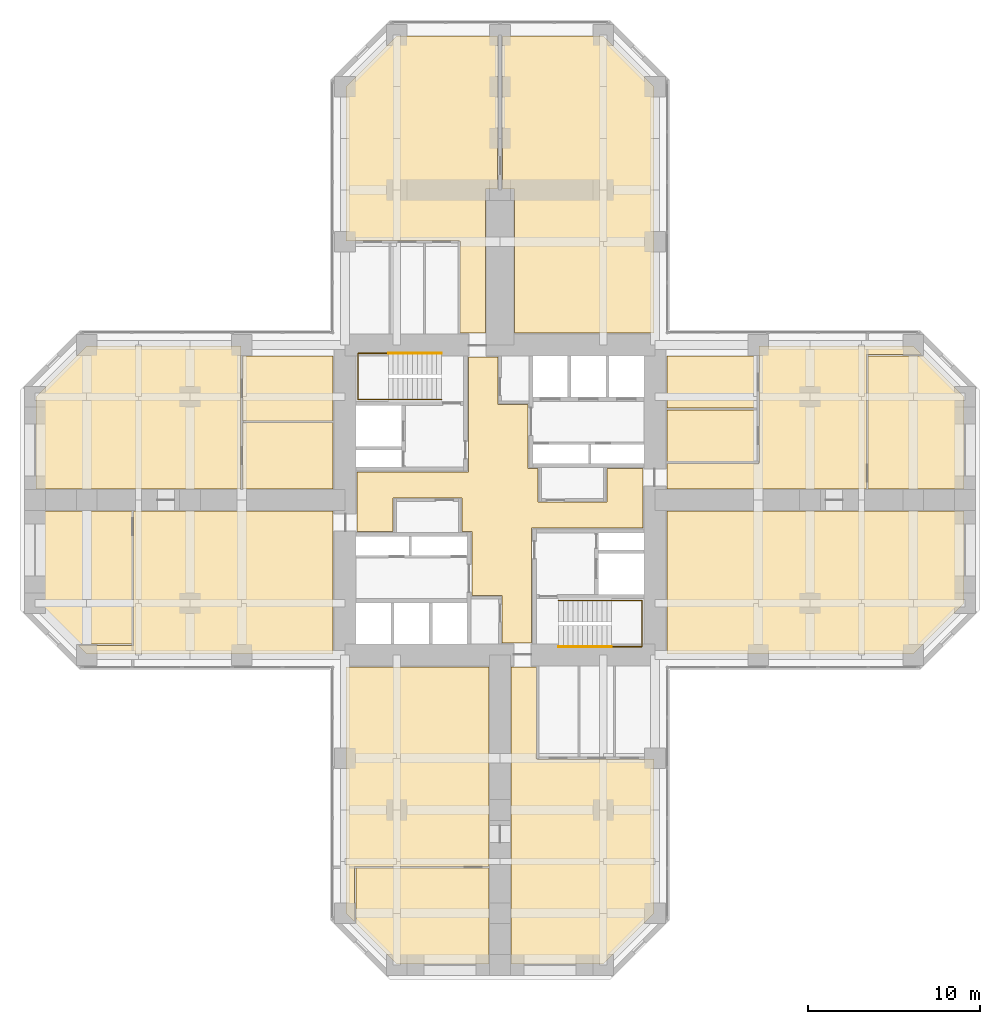
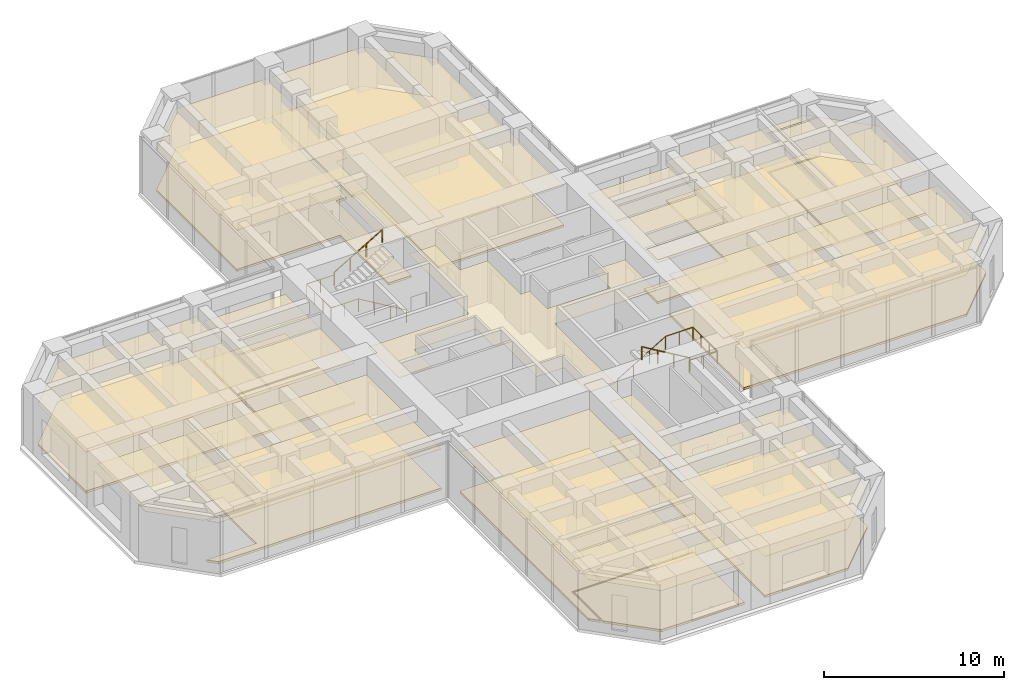
# One storey, part 12 of 12: 28 coverings, 4 railings.
"""IFC4 building model written with IfcOpenShell, lengths in metres."""

from ifc_helpers import new_model, si_unit, direction, frame, origin, origin_2d, place, context, subcontext, project, spatial, polyline, circle, outline, extrude, material, layer, layer_set, constituent, constituent_set, type_object, element, save


model = new_model("IFC4")

# Units and contexts
model_context = context("Model", 3, precision=1e-05, world=origin(), true_north=direction((0.0, 1.0)))
body_context = subcontext(model_context, "Body", "Model", "MODEL_VIEW")
ifc_project = project(units=[si_unit("LENGTHUNIT", "METRE"), si_unit("AREAUNIT", "SQUARE_METRE"), si_unit("VOLUMEUNIT", "CUBIC_METRE"), si_unit("PLANEANGLEUNIT", "RADIAN"), si_unit("MASSUNIT", "GRAM", prefix="KILO")], contexts=[model_context])

# Site, building, storey
site_placement = place(None, origin())
site = spatial("IfcSite", under=ifc_project, at=site_placement, CompositionType="ELEMENT")
building_placement = place(site_placement, origin())
building = spatial("IfcBuilding", under=site, at=building_placement, Name="Torre Cruceta", CompositionType="ELEMENT")
storey_placement = place(building_placement, frame((0.0, 0.0, 59.5)))
storey = spatial("IfcBuildingStorey", under=building, at=storey_placement, Name="L14", CompositionType="ELEMENT", Elevation=59.5)

# Railings
ifc_material_1 = material(Name="Stainless steel 1.4401", Category="steel")
railing_type = type_object("IfcRailingType", Name="HANDRAIL 900", PredefinedType="HANDRAIL", material=ifc_material_1)
railing_1_placement = place(storey_placement, frame((-3.39990234375, 5.8349609375, 0.166748046875)))
element("IfcRailing", 1, at=railing_1_placement, inside=storey, type_object=railing_type, Name="Handrail HR1 ST1 L14", PredefinedType="HANDRAIL", context=body_context, shape_type="SweptSolid", body=[
    extrude(circle(Radius=0.02392578125, at=origin_2d()), frame((0.0, 0.0, 0.8759765625), z_axis=(-0.859308565015, 0.0, 0.511457515432), x_axis=(0.0, -1.0, 0.0)), (0.0, 0.0, 1.0), 3.58447265625),
    extrude(circle(Radius=0.02392578125, at=origin_2d()), frame((-3.080078125, 0.0, 2.708984375), z_axis=(-1.0, 0.0, 0.0), x_axis=(0.0, -1.0, 0.0)), (0.0, 0.0, 1.0), 1.760009765625),
    extrude(circle(Radius=0.02392578125, at=origin_2d()), frame((-4.840087890625, 0.0, 2.708984375), z_axis=(0.0, 1.0, 0.0), x_axis=(-1.0, 0.0, 0.0)), (0.0, 0.0, 1.0), 2.679931640625),
    extrude(circle(Radius=0.02392578125, at=origin_2d()), frame((-4.840087890625, 2.679931640625, 2.708984375), z_axis=(1.0, 0.0, 0.0), x_axis=(0.0, 1.0, 0.0)), (0.0, 0.0, 1.0), 1.760009765625),
    extrude(circle(Radius=0.02099609375, at=origin_2d()), origin(), (0.0, 0.0, 1.0), 0.851806640625),
    extrude(circle(Radius=0.02099609375, at=origin_2d()), frame((-1.026611328125, 0.0, 0.611083984375)), (0.0, 0.0, 1.0), 0.851806640625),
    extrude(circle(Radius=0.02099609375, at=origin_2d()), frame((-2.053466796875, 0.0, 1.22216796875)), (0.0, 0.0, 1.0), 0.851806640625),
    extrude(circle(Radius=0.02099609375, at=origin_2d()), frame((-3.080078125, 0.0, 1.833251953125)), (0.0, 0.0, 1.0), 0.851806640625),
    extrude(circle(Radius=0.02099609375, at=origin_2d()), frame((-3.9599609375, 0.0, 1.833251953125)), (0.0, 0.0, 1.0), 0.851806640625),
    extrude(circle(Radius=0.02099609375, at=origin_2d()), frame((-4.840087890625, 0.0, 1.833251953125)), (0.0, 0.0, 1.0), 0.851806640625),
    extrude(circle(Radius=0.02099609375, at=origin_2d()), frame((-4.840087890625, 0.893310546875, 1.833251953125)), (0.0, 0.0, 1.0), 0.851806640625),
    extrude(circle(Radius=0.02099609375, at=origin_2d()), frame((-4.840087890625, 1.78662109375, 1.833251953125)), (0.0, 0.0, 1.0), 0.851806640625),
    extrude(circle(Radius=0.02099609375, at=origin_2d()), frame((-4.840087890625, 2.679931640625, 1.833251953125)), (0.0, 0.0, 1.0), 0.851806640625),
    extrude(circle(Radius=0.02099609375, at=origin_2d()), frame((-3.9599609375, 2.679931640625, 1.833251953125)), (0.0, 0.0, 1.0), 0.851806640625),
    extrude(circle(Radius=0.02099609375, at=origin_2d()), frame((-3.080078125, 2.679931640625, 1.833251953125)), (0.0, 0.0, 1.0), 0.851806640625),
])
railing_2_placement = place(storey_placement, frame((-6.47998046875, 8.514892578125, 2.166748046875)))
element("IfcRailing", 2, at=railing_2_placement, inside=storey, type_object=railing_type, Name="Handrail HR1 ST1 L14", PredefinedType="HANDRAIL", context=body_context, shape_type="SweptSolid", body=[
    extrude(circle(Radius=0.02392578125, at=origin_2d()), frame((0.0, 0.0, 0.8759765625), z_axis=(0.859308565015, 0.0, 0.511457515432), x_axis=(0.0, 1.0, 0.0)), (0.0, 0.0, 1.0), 3.58447265625),
    extrude(circle(Radius=0.02099609375, at=origin_2d()), origin(), (0.0, 0.0, 1.0), 0.851806640625),
    extrude(circle(Radius=0.02099609375, at=origin_2d()), frame((1.026611328125, 0.0, 0.611083984375)), (0.0, 0.0, 1.0), 0.851806640625),
    extrude(circle(Radius=0.02099609375, at=origin_2d()), frame((2.053466796875, 0.0, 1.22216796875)), (0.0, 0.0, 1.0), 0.851806640625),
    extrude(circle(Radius=0.02099609375, at=origin_2d()), frame((3.080078125, 0.0, 1.833251953125)), (0.0, 0.0, 1.0), 0.851806640625),
])
railing_3_placement = place(storey_placement, frame((3.39990234375, -5.8349609375, 0.166748046875)))
element("IfcRailing", 3, at=railing_3_placement, inside=storey, type_object=railing_type, Name="Handrail HR1 ST2 L14", PredefinedType="HANDRAIL", context=body_context, shape_type="SweptSolid", body=[
    extrude(circle(Radius=0.02392578125, at=origin_2d()), frame((0.0, 0.0, 0.8759765625), z_axis=(0.859308565015, 0.0, 0.511457515432), x_axis=(0.0, 1.0, 0.0)), (0.0, 0.0, 1.0), 3.58447265625),
    extrude(circle(Radius=0.02392578125, at=origin_2d()), frame((3.080078125, 0.0, 2.708984375), z_axis=(1.0, 0.0, 0.0), x_axis=(0.0, 1.0, 0.0)), (0.0, 0.0, 1.0), 1.760009765625),
    extrude(circle(Radius=0.02392578125, at=origin_2d()), frame((4.840087890625, 0.0, 2.708984375), z_axis=(0.0, -1.0, 0.0), x_axis=(1.0, 0.0, 0.0)), (0.0, 0.0, 1.0), 2.679931640625),
    extrude(circle(Radius=0.02392578125, at=origin_2d()), frame((4.840087890625, -2.679931640625, 2.708984375), z_axis=(-1.0, 0.0, 0.0), x_axis=(0.0, -1.0, 0.0)), (0.0, 0.0, 1.0), 1.760009765625),
    extrude(circle(Radius=0.02099609375, at=origin_2d()), origin(), (0.0, 0.0, 1.0), 0.851806640625),
    extrude(circle(Radius=0.02099609375, at=origin_2d()), frame((1.026611328125, 0.0, 0.611083984375)), (0.0, 0.0, 1.0), 0.851806640625),
    extrude(circle(Radius=0.02099609375, at=origin_2d()), frame((2.053466796875, 0.0, 1.22216796875)), (0.0, 0.0, 1.0), 0.851806640625),
    extrude(circle(Radius=0.02099609375, at=origin_2d()), frame((3.080078125, 0.0, 1.833251953125)), (0.0, 0.0, 1.0), 0.851806640625),
    extrude(circle(Radius=0.02099609375, at=origin_2d()), frame((3.9599609375, 0.0, 1.833251953125)), (0.0, 0.0, 1.0), 0.851806640625),
    extrude(circle(Radius=0.02099609375, at=origin_2d()), frame((4.840087890625, 0.0, 1.833251953125)), (0.0, 0.0, 1.0), 0.851806640625),
    extrude(circle(Radius=0.02099609375, at=origin_2d()), frame((4.840087890625, -0.893310546875, 1.833251953125)), (0.0, 0.0, 1.0), 0.851806640625),
    extrude(circle(Radius=0.02099609375, at=origin_2d()), frame((4.840087890625, -1.78662109375, 1.833251953125)), (0.0, 0.0, 1.0), 0.851806640625),
    extrude(circle(Radius=0.02099609375, at=origin_2d()), frame((4.840087890625, -2.679931640625, 1.833251953125)), (0.0, 0.0, 1.0), 0.851806640625),
    extrude(circle(Radius=0.02099609375, at=origin_2d()), frame((3.9599609375, -2.679931640625, 1.833251953125)), (0.0, 0.0, 1.0), 0.851806640625),
    extrude(circle(Radius=0.02099609375, at=origin_2d()), frame((3.080078125, -2.679931640625, 1.833251953125)), (0.0, 0.0, 1.0), 0.851806640625),
])
railing_4_placement = place(storey_placement, frame((6.47998046875, -8.514892578125, 2.166748046875)))
element("IfcRailing", 4, at=railing_4_placement, inside=storey, type_object=railing_type, Name="Handrail HR1 ST2 L14", PredefinedType="HANDRAIL", context=body_context, shape_type="SweptSolid", body=[
    extrude(circle(Radius=0.02392578125, at=origin_2d()), frame((0.0, 0.0, 0.8759765625), z_axis=(-0.859308565015, 0.0, 0.511457515432), x_axis=(0.0, -1.0, 0.0)), (0.0, 0.0, 1.0), 3.58447265625),
    extrude(circle(Radius=0.02099609375, at=origin_2d()), origin(), (0.0, 0.0, 1.0), 0.851806640625),
    extrude(circle(Radius=0.02099609375, at=origin_2d()), frame((-1.026611328125, 0.0, 0.611083984375)), (0.0, 0.0, 1.0), 0.851806640625),
    extrude(circle(Radius=0.02099609375, at=origin_2d()), frame((-2.053466796875, 0.0, 1.22216796875)), (0.0, 0.0, 1.0), 0.851806640625),
    extrude(circle(Radius=0.02099609375, at=origin_2d()), frame((-3.080078125, 0.0, 1.833251953125)), (0.0, 0.0, 1.0), 0.851806640625),
])

# Coverings
ifc_material_2 = material(Name="Steel DX51D", Category="steel")
ifc_constituent_1 = constituent(ifc_material_2, Name="Panel casing")
ifc_material_3 = material(Name="Calcium sulphate", Category="gypsum")
ifc_constituent_2 = constituent(ifc_material_3, Name="Panel core")
ifc_constituent_set = constituent_set(constituents=[ifc_constituent_1, ifc_constituent_2], Name="Raised access floor panel")
covering_type_1 = type_object("IfcCoveringType", Name="RAISED ACCESS FLOOR 150", PredefinedType="FLOORING", material=ifc_constituent_set)
covering_1_placement = place(storey_placement, origin())
element("IfcCovering", 5, at=covering_1_placement, inside=storey, type_object=covering_type_1, Name="Raised floor L14-029", PredefinedType="FLOORING", context=body_context, shape_type="SweptSolid", body=[
    extrude(outline(polyline([(-5.979248046875, 26.949951171875), (-0.14990234375, 26.949951171875), (-0.14990234375, 18.050048828125), (-0.85009765625, 18.050048828125), (-0.85009765625, 9.699951171875), (-2.324951171875, 9.699951171875), (-2.324951171875, 15.050048828125), (-8.949951171875, 15.050048828125), (-8.949951171875, 23.979248046875), (-5.979248046875, 26.949951171875)])), origin(), (0.0, 0.0, 1.0), 0.14990234375),
])
covering_2_placement = place(storey_placement, origin())
element("IfcCovering", 6, at=covering_2_placement, inside=storey, type_object=covering_type_1, Name="Raised floor L14-030", PredefinedType="FLOORING", context=body_context, shape_type="SweptSolid", body=[
    extrude(outline(polyline([(5.979248046875, 26.949951171875), (8.949951171875, 23.979248046875), (8.949951171875, 9.699951171875), (0.85009765625, 9.699951171875), (0.85009765625, 18.050048828125), (0.14990234375, 18.050048828125), (0.14990234375, 26.949951171875), (5.979248046875, 26.949951171875)])), origin(), (0.0, 0.0, 1.0), 0.14990234375),
])
covering_3_placement = place(storey_placement, origin())
element("IfcCovering", 7, at=covering_3_placement, inside=storey, type_object=covering_type_1, Name="Raised floor L14-033", PredefinedType="FLOORING", context=body_context, shape_type="SweptSolid", body=[
    extrude(outline(polyline([(26.949951171875, 0.64990234375), (21.3701171875, 0.64990234375), (21.3701171875, 8.35009765625), (24.579345703125, 8.35009765625), (26.949951171875, 5.979248046875), (26.949951171875, 0.64990234375)])), origin(), (0.0, 0.0, 1.0), 0.14990234375),
])
covering_4_placement = place(storey_placement, origin())
element("IfcCovering", 8, at=covering_4_placement, inside=storey, type_object=covering_type_1, Name="Raised floor L14-034", PredefinedType="FLOORING", context=body_context, shape_type="SweptSolid", body=[
    extrude(outline(polyline([(21.27001953125, 8.449951171875), (21.27001953125, 0.64990234375), (9.699951171875, 0.64990234375), (9.699951171875, 2.125), (15.050048828125, 2.125), (15.050048828125, 8.949951171875), (23.979248046875, 8.949951171875), (24.479248046875, 8.449951171875), (21.27001953125, 8.449951171875)])), origin(), (0.0, 0.0, 1.0), 0.14990234375),
])
covering_5_placement = place(storey_placement, origin())
element("IfcCovering", 9, at=covering_5_placement, inside=storey, type_object=covering_type_1, Name="Raised floor L14-035", PredefinedType="FLOORING", context=body_context, shape_type="SweptSolid", body=[
    extrude(outline(polyline([(26.949951171875, -5.979248046875), (23.979248046875, -8.949951171875), (9.699951171875, -8.949951171875), (9.699951171875, -0.64990234375), (26.949951171875, -0.64990234375), (26.949951171875, -5.979248046875)])), origin(), (0.0, 0.0, 1.0), 0.14990234375),
])
covering_6_placement = place(storey_placement, origin())
element("IfcCovering", 10, at=covering_6_placement, inside=storey, type_object=covering_type_1, Name="Raised floor L14-039", PredefinedType="FLOORING", context=body_context, shape_type="SweptSolid", body=[
    extrude(outline(polyline([(-8.35009765625, -24.579345703125), (-8.35009765625, -21.3701171875), (-0.64990234375, -21.3701171875), (-0.64990234375, -26.949951171875), (-5.979248046875, -26.949951171875), (-8.35009765625, -24.579345703125)])), origin(), (0.0, 0.0, 1.0), 0.14990234375),
])
covering_7_placement = place(storey_placement, origin())
element("IfcCovering", 11, at=covering_7_placement, inside=storey, type_object=covering_type_1, Name="Raised floor L14-040", PredefinedType="FLOORING", context=body_context, shape_type="SweptSolid", body=[
    extrude(outline(polyline([(0.64990234375, -26.949951171875), (0.64990234375, -9.699951171875), (2.125, -9.699951171875), (2.125, -15.050048828125), (8.949951171875, -15.050048828125), (8.949951171875, -23.979248046875), (5.979248046875, -26.949951171875), (0.64990234375, -26.949951171875)])), origin(), (0.0, 0.0, 1.0), 0.14990234375),
])
covering_8_placement = place(storey_placement, origin())
element("IfcCovering", 12, at=covering_8_placement, inside=storey, type_object=covering_type_1, Name="Raised floor L14-041", PredefinedType="FLOORING", context=body_context, shape_type="SweptSolid", body=[
    extrude(outline(polyline([(-8.449951171875, -21.27001953125), (-8.449951171875, -24.479248046875), (-8.949951171875, -23.979248046875), (-8.949951171875, -9.699951171875), (-0.64990234375, -9.699951171875), (-0.64990234375, -21.27001953125), (-8.449951171875, -21.27001953125)])), origin(), (0.0, 0.0, 1.0), 0.14990234375),
])
covering_9_placement = place(storey_placement, origin())
element("IfcCovering", 13, at=covering_9_placement, inside=storey, type_object=covering_type_1, Name="Raised floor L14-042", PredefinedType="FLOORING", context=body_context, shape_type="SweptSolid", body=[
    extrude(outline(polyline([(-9.699951171875, 4.5), (-9.699951171875, 0.64990234375), (-14.949951171875, 0.64990234375), (-14.949951171875, 4.5), (-9.699951171875, 4.5)])), origin(), (0.0, 0.0, 1.0), 0.14990234375),
])
covering_10_placement = place(storey_placement, origin())
element("IfcCovering", 14, at=covering_10_placement, inside=storey, type_object=covering_type_1, Name="Raised floor L14-043", PredefinedType="FLOORING", context=body_context, shape_type="SweptSolid", body=[
    extrude(outline(polyline([(-9.699951171875, 8.35009765625), (-9.699951171875, 4.60009765625), (-14.949951171875, 4.60009765625), (-14.949951171875, 8.35009765625), (-9.699951171875, 8.35009765625)])), origin(), (0.0, 0.0, 1.0), 0.14990234375),
])
covering_11_placement = place(storey_placement, origin())
element("IfcCovering", 15, at=covering_11_placement, inside=storey, type_object=covering_type_1, Name="Raised floor L14-045", PredefinedType="FLOORING", context=body_context, shape_type="SweptSolid", body=[
    extrude(outline(polyline([(-24.479248046875, -8.449951171875), (-21.27001953125, -8.449951171875), (-21.27001953125, -0.64990234375), (-9.699951171875, -0.64990234375), (-9.699951171875, -8.949951171875), (-23.979248046875, -8.949951171875), (-24.479248046875, -8.449951171875)])), origin(), (0.0, 0.0, 1.0), 0.14990234375),
])
covering_12_placement = place(storey_placement, origin())
element("IfcCovering", 16, at=covering_12_placement, inside=storey, type_object=covering_type_1, Name="Raised floor L14-046", PredefinedType="FLOORING", context=body_context, shape_type="SweptSolid", body=[
    extrude(outline(polyline([(-26.949951171875, 5.979248046875), (-23.979248046875, 8.949951171875), (-15.050048828125, 8.949951171875), (-15.050048828125, 0.64990234375), (-26.949951171875, 0.64990234375), (-26.949951171875, 5.979248046875)])), origin(), (0.0, 0.0, 1.0), 0.14990234375),
])
ifc_material_4 = material(Name="Mineral fibre ceiling tile", Category="gypsum")
ifc_layer = layer(ifc_material_4, 0.02001953125)
ifc_layer_set = layer_set([ifc_layer], Name="Mineral fibre ceiling tile")
covering_type_2 = type_object("IfcCoveringType", Name="SUSPENDED CEILING 20", PredefinedType="CEILING", material=ifc_layer_set)
covering_13_placement = place(storey_placement, frame((0.0, 0.0, 2.780029296875)))
element("IfcCovering", 17, at=covering_13_placement, inside=storey, type_object=covering_type_2, Name="Ceiling L14-001", PredefinedType="CEILING", context=body_context, shape_type="SweptSolid", body=[
    extrude(outline(polyline([(1.824951171875, -8.300048828125), (0.125, -8.300048828125), (0.125, -5.550048828125), (-1.625, -5.550048828125), (-1.625, -1.824951171875), (-2.199951171875, -1.824951171875), (-2.199951171875, 0.125), (-6.199951171875, 0.125), (-6.199951171875, -1.824951171875), (-8.300048828125, -1.824951171875), (-8.300048828125, 1.625), (-1.824951171875, 1.625), (-1.824951171875, 8.300048828125), (-0.125, 8.300048828125), (-0.125, 5.550048828125), (1.625, 5.550048828125), (1.625, 1.824951171875), (2.199951171875, 1.824951171875), (2.199951171875, -0.125), (6.199951171875, -0.125), (6.199951171875, 1.824951171875), (8.300048828125, 1.824951171875), (8.300048828125, -1.625), (1.824951171875, -1.625), (1.824951171875, -8.300048828125)])), origin(), (0.0, 0.0, 1.0), 0.02001953125),
])
covering_14_placement = place(storey_placement, frame((0.0, 0.0, 2.780029296875)))
element("IfcCovering", 18, at=covering_14_placement, inside=storey, type_object=covering_type_2, Name="Ceiling L14-029", PredefinedType="CEILING", context=body_context, shape_type="SweptSolid", body=[
    extrude(outline(polyline([(-5.979248046875, 26.949951171875), (-0.14990234375, 26.949951171875), (-0.14990234375, 18.050048828125), (-0.85009765625, 18.050048828125), (-0.85009765625, 9.699951171875), (-2.324951171875, 9.699951171875), (-2.324951171875, 15.050048828125), (-8.949951171875, 15.050048828125), (-8.949951171875, 23.979248046875), (-5.979248046875, 26.949951171875)])), origin(), (0.0, 0.0, 1.0), 0.02001953125),
])
covering_15_placement = place(storey_placement, frame((0.0, 0.0, 2.780029296875)))
element("IfcCovering", 19, at=covering_15_placement, inside=storey, type_object=covering_type_2, Name="Ceiling L14-030", PredefinedType="CEILING", context=body_context, shape_type="SweptSolid", body=[
    extrude(outline(polyline([(5.979248046875, 26.949951171875), (8.949951171875, 23.979248046875), (8.949951171875, 9.699951171875), (0.85009765625, 9.699951171875), (0.85009765625, 18.050048828125), (0.14990234375, 18.050048828125), (0.14990234375, 26.949951171875), (5.979248046875, 26.949951171875)])), origin(), (0.0, 0.0, 1.0), 0.02001953125),
])
covering_16_placement = place(storey_placement, frame((0.0, 0.0, 2.780029296875)))
element("IfcCovering", 20, at=covering_16_placement, inside=storey, type_object=covering_type_2, Name="Ceiling L14-031", PredefinedType="CEILING", context=body_context, shape_type="SweptSolid", body=[
    extrude(outline(polyline([(9.699951171875, 2.22509765625), (9.699951171875, 5.237548828125), (14.949951171875, 5.237548828125), (14.949951171875, 2.22509765625), (9.699951171875, 2.22509765625)])), origin(), (0.0, 0.0, 1.0), 0.02001953125),
])
covering_17_placement = place(storey_placement, frame((0.0, 0.0, 2.780029296875)))
element("IfcCovering", 21, at=covering_17_placement, inside=storey, type_object=covering_type_2, Name="Ceiling L14-032", PredefinedType="CEILING", context=body_context, shape_type="SweptSolid", body=[
    extrude(outline(polyline([(9.699951171875, 5.33740234375), (9.699951171875, 8.35009765625), (14.949951171875, 8.35009765625), (14.949951171875, 5.33740234375), (9.699951171875, 5.33740234375)])), origin(), (0.0, 0.0, 1.0), 0.02001953125),
])
covering_18_placement = place(storey_placement, frame((0.0, 0.0, 2.780029296875)))
element("IfcCovering", 22, at=covering_18_placement, inside=storey, type_object=covering_type_2, Name="Ceiling L14-033", PredefinedType="CEILING", context=body_context, shape_type="SweptSolid", body=[
    extrude(outline(polyline([(26.949951171875, 0.64990234375), (21.3701171875, 0.64990234375), (21.3701171875, 8.35009765625), (24.579345703125, 8.35009765625), (26.949951171875, 5.979248046875), (26.949951171875, 0.64990234375)])), origin(), (0.0, 0.0, 1.0), 0.02001953125),
])
covering_19_placement = place(storey_placement, frame((0.0, 0.0, 2.780029296875)))
element("IfcCovering", 23, at=covering_19_placement, inside=storey, type_object=covering_type_2, Name="Ceiling L14-034", PredefinedType="CEILING", context=body_context, shape_type="SweptSolid", body=[
    extrude(outline(polyline([(21.27001953125, 8.449951171875), (21.27001953125, 0.64990234375), (9.699951171875, 0.64990234375), (9.699951171875, 2.125), (15.050048828125, 2.125), (15.050048828125, 8.949951171875), (23.979248046875, 8.949951171875), (24.479248046875, 8.449951171875), (21.27001953125, 8.449951171875)])), origin(), (0.0, 0.0, 1.0), 0.02001953125),
])
covering_20_placement = place(storey_placement, frame((0.0, 0.0, 2.780029296875)))
element("IfcCovering", 24, at=covering_20_placement, inside=storey, type_object=covering_type_2, Name="Ceiling L14-035", PredefinedType="CEILING", context=body_context, shape_type="SweptSolid", body=[
    extrude(outline(polyline([(26.949951171875, -5.979248046875), (23.979248046875, -8.949951171875), (9.699951171875, -8.949951171875), (9.699951171875, -0.64990234375), (26.949951171875, -0.64990234375), (26.949951171875, -5.979248046875)])), origin(), (0.0, 0.0, 1.0), 0.02001953125),
])
covering_21_placement = place(storey_placement, frame((0.0, 0.0, 2.780029296875)))
element("IfcCovering", 25, at=covering_21_placement, inside=storey, type_object=covering_type_2, Name="Ceiling L14-039", PredefinedType="CEILING", context=body_context, shape_type="SweptSolid", body=[
    extrude(outline(polyline([(-8.35009765625, -24.579345703125), (-8.35009765625, -21.3701171875), (-0.64990234375, -21.3701171875), (-0.64990234375, -26.949951171875), (-5.979248046875, -26.949951171875), (-8.35009765625, -24.579345703125)])), origin(), (0.0, 0.0, 1.0), 0.02001953125),
])
covering_22_placement = place(storey_placement, frame((0.0, 0.0, 2.780029296875)))
element("IfcCovering", 26, at=covering_22_placement, inside=storey, type_object=covering_type_2, Name="Ceiling L14-040", PredefinedType="CEILING", context=body_context, shape_type="SweptSolid", body=[
    extrude(outline(polyline([(0.64990234375, -26.949951171875), (0.64990234375, -9.699951171875), (2.125, -9.699951171875), (2.125, -15.050048828125), (8.949951171875, -15.050048828125), (8.949951171875, -23.979248046875), (5.979248046875, -26.949951171875), (0.64990234375, -26.949951171875)])), origin(), (0.0, 0.0, 1.0), 0.02001953125),
])
covering_23_placement = place(storey_placement, frame((0.0, 0.0, 2.780029296875)))
element("IfcCovering", 27, at=covering_23_placement, inside=storey, type_object=covering_type_2, Name="Ceiling L14-041", PredefinedType="CEILING", context=body_context, shape_type="SweptSolid", body=[
    extrude(outline(polyline([(-8.449951171875, -21.27001953125), (-8.449951171875, -24.479248046875), (-8.949951171875, -23.979248046875), (-8.949951171875, -9.699951171875), (-0.64990234375, -9.699951171875), (-0.64990234375, -21.27001953125), (-8.449951171875, -21.27001953125)])), origin(), (0.0, 0.0, 1.0), 0.02001953125),
])
covering_24_placement = place(storey_placement, frame((0.0, 0.0, 2.780029296875)))
element("IfcCovering", 28, at=covering_24_placement, inside=storey, type_object=covering_type_2, Name="Ceiling L14-042", PredefinedType="CEILING", context=body_context, shape_type="SweptSolid", body=[
    extrude(outline(polyline([(-9.699951171875, 4.5), (-9.699951171875, 0.64990234375), (-14.949951171875, 0.64990234375), (-14.949951171875, 4.5), (-9.699951171875, 4.5)])), origin(), (0.0, 0.0, 1.0), 0.02001953125),
])
covering_25_placement = place(storey_placement, frame((0.0, 0.0, 2.780029296875)))
element("IfcCovering", 29, at=covering_25_placement, inside=storey, type_object=covering_type_2, Name="Ceiling L14-043", PredefinedType="CEILING", context=body_context, shape_type="SweptSolid", body=[
    extrude(outline(polyline([(-9.699951171875, 8.35009765625), (-9.699951171875, 4.60009765625), (-14.949951171875, 4.60009765625), (-14.949951171875, 8.35009765625), (-9.699951171875, 8.35009765625)])), origin(), (0.0, 0.0, 1.0), 0.02001953125),
])
covering_26_placement = place(storey_placement, frame((0.0, 0.0, 2.780029296875)))
element("IfcCovering", 30, at=covering_26_placement, inside=storey, type_object=covering_type_2, Name="Ceiling L14-044", PredefinedType="CEILING", context=body_context, shape_type="SweptSolid", body=[
    extrude(outline(polyline([(-26.949951171875, -0.64990234375), (-21.3701171875, -0.64990234375), (-21.3701171875, -8.35009765625), (-24.579345703125, -8.35009765625), (-26.949951171875, -5.979248046875), (-26.949951171875, -0.64990234375)])), origin(), (0.0, 0.0, 1.0), 0.02001953125),
])
covering_27_placement = place(storey_placement, frame((0.0, 0.0, 2.780029296875)))
element("IfcCovering", 31, at=covering_27_placement, inside=storey, type_object=covering_type_2, Name="Ceiling L14-045", PredefinedType="CEILING", context=body_context, shape_type="SweptSolid", body=[
    extrude(outline(polyline([(-24.479248046875, -8.449951171875), (-21.27001953125, -8.449951171875), (-21.27001953125, -0.64990234375), (-9.699951171875, -0.64990234375), (-9.699951171875, -8.949951171875), (-23.979248046875, -8.949951171875), (-24.479248046875, -8.449951171875)])), origin(), (0.0, 0.0, 1.0), 0.02001953125),
])
covering_28_placement = place(storey_placement, frame((0.0, 0.0, 2.780029296875)))
element("IfcCovering", 32, at=covering_28_placement, inside=storey, type_object=covering_type_2, Name="Ceiling L14-046", PredefinedType="CEILING", context=body_context, shape_type="SweptSolid", body=[
    extrude(outline(polyline([(-26.949951171875, 5.979248046875), (-23.979248046875, 8.949951171875), (-15.050048828125, 8.949951171875), (-15.050048828125, 0.64990234375), (-26.949951171875, 0.64990234375), (-26.949951171875, 5.979248046875)])), origin(), (0.0, 0.0, 1.0), 0.02001953125),
])

save(model, "model.ifc")
